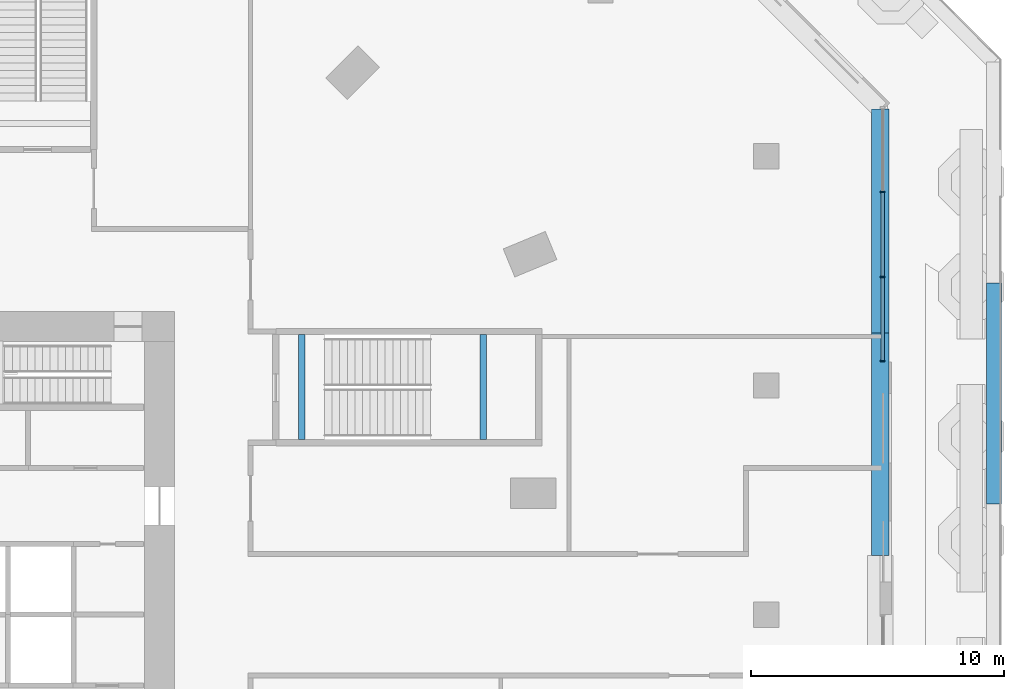
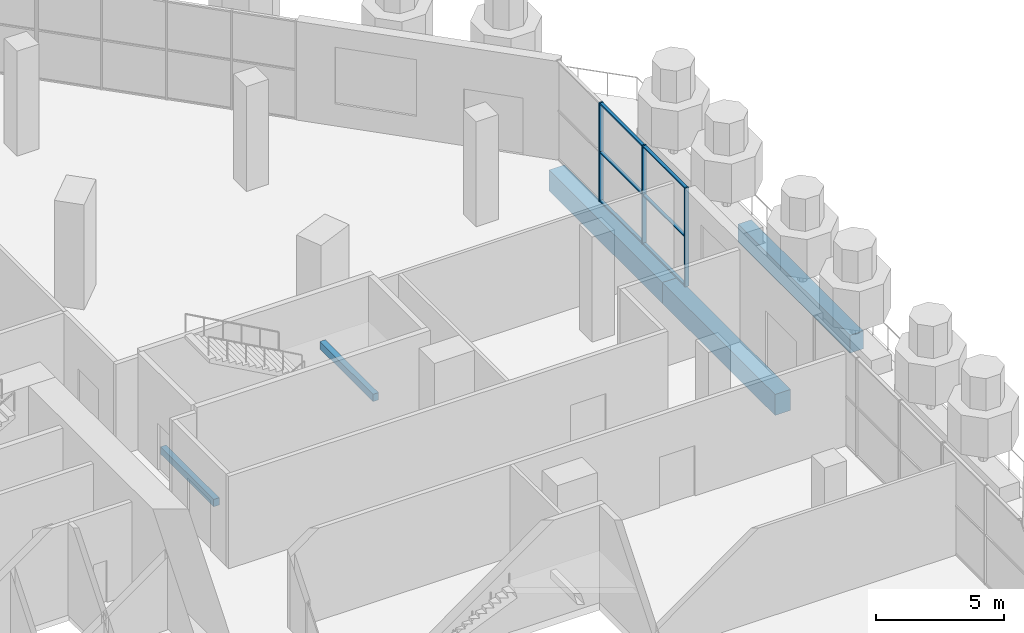
# One storey, part 11 of 32: 9 members, 5 beams, 1 element without a shape of its own.
"""IFC4 building model written with IfcOpenShell, lengths in metres."""

from ifc_helpers import new_model, si_unit, direction, frame, origin, origin_2d, place, context, subcontext, project, spatial, rectangle, extrude, material, material_profile, profile_set, type_object, element, aggregate, save


model = new_model("IFC4")

# Units and contexts
model_context = context("Model", 3, precision=1e-05, world=origin(), true_north=direction((0.0, 1.0)))
body_context = subcontext(model_context, "Body", "Model", "MODEL_VIEW")
ifc_project = project(units=[si_unit("LENGTHUNIT", "METRE"), si_unit("AREAUNIT", "SQUARE_METRE"), si_unit("VOLUMEUNIT", "CUBIC_METRE"), si_unit("PLANEANGLEUNIT", "RADIAN"), si_unit("MASSUNIT", "GRAM", prefix="KILO")], contexts=[model_context])

# Site, building, storey
site_placement = place(None, origin())
site = spatial("IfcSite", under=ifc_project, at=site_placement, CompositionType="ELEMENT")
building_placement = place(site_placement, origin())
building = spatial("IfcBuilding", under=site, at=building_placement, Name="Msitu Wima Residences", CompositionType="ELEMENT")
storey_placement = place(building_placement, frame((0.0, 0.0, 6.0)))
storey = spatial("IfcBuildingStorey", under=building, at=storey_placement, Name="L01", CompositionType="ELEMENT", Elevation=6.0)

# Beams
ifc_material_1 = material(Name="Concrete C40/50", Category="concrete")
ifc_material_profile_1 = material_profile(ifc_material_1, rectangle(XDim=0.25, YDim=0.35009765625, at=origin_2d()), Name="RC 250x350")
ifc_profile_set_1 = profile_set([ifc_material_profile_1], Name="Concrete C40/50")
beam_type_1 = type_object("IfcBeamType", Name="Landing beam RC 250x350", PredefinedType="BEAM", material=ifc_profile_set_1)
for number, where, z_axis, x_axis, name in (
    (1, (26.60009765625, 6.925048828125, 2.125), (0.0, 1.0, 0.0), (-1.0, 0.0, 0.0), "Podium exit stair 1 landing beam"),
    (2, (19.425048828125, 6.925048828125, -0.375), (0.0, 1.0, 0.0), (-1.0, 0.0, 0.0), "Podium exit stair 1 floor landing beam"),
):
    element("IfcBeam", number, at=place(storey_placement, frame(where, z_axis=z_axis, x_axis=x_axis)), inside=storey, type_object=beam_type_1, Name=name, PredefinedType="BEAM", context=body_context, shape_type="SweptSolid", body=[
        extrude(rectangle(XDim=0.25, YDim=0.35009765625, at=origin_2d()), origin(), (0.0, 0.0, 1.0), 4.14990234375),
    ])

# Curtain wall, members
ifc_material_2 = material(Name="Anodised aluminium, bronze finish, clear low-emissivity double glazing", Category="aluminium")
curtain_wall_type = type_object("IfcCurtainWallType", Name="Curtain wall CW5 retail shopfront", PredefinedType="NOTDEFINED", material=ifc_material_2)
curtain_wall_placement = place(storey_placement, origin())
curtain_wall = element("IfcCurtainWall", 3, at=curtain_wall_placement, inside=storey, type_object=curtain_wall_type, Name="Curtain wall CW5 L01 E3", PredefinedType="NOTDEFINED")
ifc_material_3 = material(Name="Anodised aluminium, bronze finish", Category="aluminium")
ifc_material_profile_2 = material_profile(ifc_material_3, rectangle(XDim=0.179931640625, YDim=0.06494140625, at=origin_2d()), Name="Mullion 65x180")
ifc_profile_set_2 = profile_set([ifc_material_profile_2], Name="Anodised aluminium, bronze finish")
member_type_1 = type_object("IfcMemberType", Name="Mullion CW5 65x180", PredefinedType="MULLION", material=ifc_profile_set_2)
member_1_placement = place(storey_placement, frame((42.39990234375, 10.0283203125, 0.0), z_axis=(0.0, 0.0, 1.0), x_axis=(-1.0, 0.0, 0.0)))
member_1 = element("IfcMember", 4, at=member_1_placement, type_object=member_type_1, Name="CW5 mullion 1", PredefinedType="MULLION", context=body_context, shape_type="SweptSolid", body=[
    extrude(rectangle(XDim=0.179931640625, YDim=0.06494140625, at=origin_2d()), origin(), (0.0, 0.0, 1.0), 4.699951171875),
])
member_2_placement = place(storey_placement, frame((42.39990234375, 13.35888671875, 0.0), z_axis=(0.0, 0.0, 1.0), x_axis=(-1.0, 0.0, 0.0)))
member_2 = element("IfcMember", 5, at=member_2_placement, type_object=member_type_1, Name="CW5 mullion 2", PredefinedType="MULLION", context=body_context, shape_type="SweptSolid", body=[
    extrude(rectangle(XDim=0.179931640625, YDim=0.06494140625, at=origin_2d()), origin(), (0.0, 0.0, 1.0), 4.699951171875),
])
member_3_placement = place(storey_placement, frame((42.39990234375, 16.721923828125, 0.0), z_axis=(0.0, 0.0, 1.0), x_axis=(-1.0, 0.0, 0.0)))
member_3 = element("IfcMember", 6, at=member_3_placement, type_object=member_type_1, Name="CW5 mullion 3", PredefinedType="MULLION", context=body_context, shape_type="SweptSolid", body=[
    extrude(rectangle(XDim=0.179931640625, YDim=0.06494140625, at=origin_2d()), origin(), (0.0, 0.0, 1.0), 4.699951171875),
])

# Beams
ifc_material_4 = material(Name="Concrete C60/75", Category="concrete")
ifc_material_profile_3 = material_profile(ifc_material_4, rectangle(XDim=0.60009765625, YDim=0.85009765625, at=origin_2d()), Name="RC 600x850")
ifc_profile_set_3 = profile_set([ifc_material_profile_3], Name="Concrete C60/75")
beam_type_2 = type_object("IfcBeamType", Name="Terrace beam RC 600x850 Concrete C60/75", PredefinedType="BEAM", material=ifc_profile_set_3)
beam_1_placement = place(storey_placement, frame((46.800048828125, 4.37109375, -0.77490234375), z_axis=(0.0, 1.0, 0.0), x_axis=(-1.0, 0.0, 0.0)))
element("IfcBeam", 7, at=beam_1_placement, inside=storey, type_object=beam_type_2, Name="Terrace edge beam L00 C-E3", PredefinedType="BEAM", context=body_context, shape_type="SweptSolid", body=[
    extrude(rectangle(XDim=0.60009765625, YDim=0.85009765625, at=origin_2d()), origin(), (0.0, 0.0, 1.0), 8.742431640625),
])
ifc_material_profile_4 = material_profile(ifc_material_4, rectangle(XDim=0.699951171875, YDim=1.0, at=origin_2d()), Name="RC 700x1000")
ifc_profile_set_4 = profile_set([ifc_material_profile_4], Name="Concrete C60/75")
beam_type_3 = type_object("IfcBeamType", Name="Terrace beam RC 700x1000 Concrete C60/75", PredefinedType="BEAM", material=ifc_profile_set_4)
beam_2_placement = place(storey_placement, frame((42.300048828125, 2.341552734375, -0.85009765625), z_axis=(0.0, 1.0, 0.0), x_axis=(-1.0, 0.0, 0.0)))
element("IfcBeam", 8, at=beam_2_placement, inside=storey, type_object=beam_type_3, Name="Terrace upstand-line beam L01 T14", PredefinedType="BEAM", context=body_context, shape_type="SweptSolid", body=[
    extrude(rectangle(XDim=0.699951171875, YDim=1.0, at=origin_2d()), origin(), (0.0, 0.0, 1.0), 8.802490234375),
])
beam_3_placement = place(storey_placement, frame((42.300048828125, 11.14404296875, -0.85009765625), z_axis=(0.0, 1.0, 0.0), x_axis=(-1.0, 0.0, 0.0)))
element("IfcBeam", 9, at=beam_3_placement, inside=storey, type_object=beam_type_3, Name="Terrace upstand-line beam L01 T15", PredefinedType="BEAM", context=body_context, shape_type="SweptSolid", body=[
    extrude(rectangle(XDim=0.699951171875, YDim=1.0, at=origin_2d()), origin(), (0.0, 0.0, 1.0), 8.847900390625),
])

# Member
ifc_material_profile_5 = material_profile(ifc_material_3, rectangle(XDim=0.139892578125, YDim=0.06494140625, at=origin_2d()), Name="Transom 65x140")
ifc_profile_set_5 = profile_set([ifc_material_profile_5], Name="Anodised aluminium, bronze finish")
member_type_2 = type_object("IfcMemberType", Name="Transom CW5 65x140", PredefinedType="USERDEFINED", material=ifc_profile_set_5)
member_4_placement = place(storey_placement, frame((42.39990234375, 10.06103515625, 0.032470703125), z_axis=(0.0, 1.0, 0.0), x_axis=(-1.0, 0.0, 0.0)))
member_4 = element("IfcMember", 10, at=member_4_placement, type_object=member_type_2, Name="CW5 transom 1.1", ObjectType="TRANSOM", PredefinedType="USERDEFINED", context=body_context, shape_type="SweptSolid", body=[
    extrude(rectangle(XDim=0.139892578125, YDim=0.06494140625, at=origin_2d()), origin(), (0.0, 0.0, 1.0), 3.265380859375),
])

member_5_placement = place(storey_placement, frame((42.39990234375, 10.06103515625, 2.35009765625), z_axis=(0.0, 1.0, 0.0), x_axis=(-1.0, 0.0, 0.0)))
member_5 = element("IfcMember", 11, at=member_5_placement, type_object=member_type_2, Name="CW5 transom 1.2", ObjectType="TRANSOM", PredefinedType="USERDEFINED", context=body_context, shape_type="SweptSolid", body=[
    extrude(rectangle(XDim=0.139892578125, YDim=0.06494140625, at=origin_2d()), origin(), (0.0, 0.0, 1.0), 3.265380859375),
])

member_6_placement = place(storey_placement, frame((42.39990234375, 10.06103515625, 4.66748046875), z_axis=(0.0, 1.0, 0.0), x_axis=(-1.0, 0.0, 0.0)))
member_6 = element("IfcMember", 12, at=member_6_placement, type_object=member_type_2, Name="CW5 transom 1.3", ObjectType="TRANSOM", PredefinedType="USERDEFINED", context=body_context, shape_type="SweptSolid", body=[
    extrude(rectangle(XDim=0.139892578125, YDim=0.06494140625, at=origin_2d()), origin(), (0.0, 0.0, 1.0), 3.265380859375),
])

member_7_placement = place(storey_placement, frame((42.39990234375, 13.3916015625, 0.032470703125), z_axis=(0.0, 1.0, 0.0), x_axis=(-1.0, 0.0, 0.0)))
member_7 = element("IfcMember", 13, at=member_7_placement, type_object=member_type_2, Name="CW5 transom 2.1", ObjectType="TRANSOM", PredefinedType="USERDEFINED", context=body_context, shape_type="SweptSolid", body=[
    extrude(rectangle(XDim=0.139892578125, YDim=0.06494140625, at=origin_2d()), origin(), (0.0, 0.0, 1.0), 3.2978515625),
])

member_8_placement = place(storey_placement, frame((42.39990234375, 13.3916015625, 2.35009765625), z_axis=(0.0, 1.0, 0.0), x_axis=(-1.0, 0.0, 0.0)))
member_8 = element("IfcMember", 14, at=member_8_placement, type_object=member_type_2, Name="CW5 transom 2.2", ObjectType="TRANSOM", PredefinedType="USERDEFINED", context=body_context, shape_type="SweptSolid", body=[
    extrude(rectangle(XDim=0.139892578125, YDim=0.06494140625, at=origin_2d()), origin(), (0.0, 0.0, 1.0), 3.2978515625),
])

member_9_placement = place(storey_placement, frame((42.39990234375, 13.3916015625, 4.66748046875), z_axis=(0.0, 1.0, 0.0), x_axis=(-1.0, 0.0, 0.0)))
member_9 = element("IfcMember", 15, at=member_9_placement, type_object=member_type_2, Name="CW5 transom 2.3", ObjectType="TRANSOM", PredefinedType="USERDEFINED", context=body_context, shape_type="SweptSolid", body=[
    extrude(rectangle(XDim=0.139892578125, YDim=0.06494140625, at=origin_2d()), origin(), (0.0, 0.0, 1.0), 3.2978515625),
])

aggregate(curtain_wall, [member_1, member_2, member_3, member_4, member_5, member_6, member_7, member_8, member_9])

save(model, "model.ifc")
